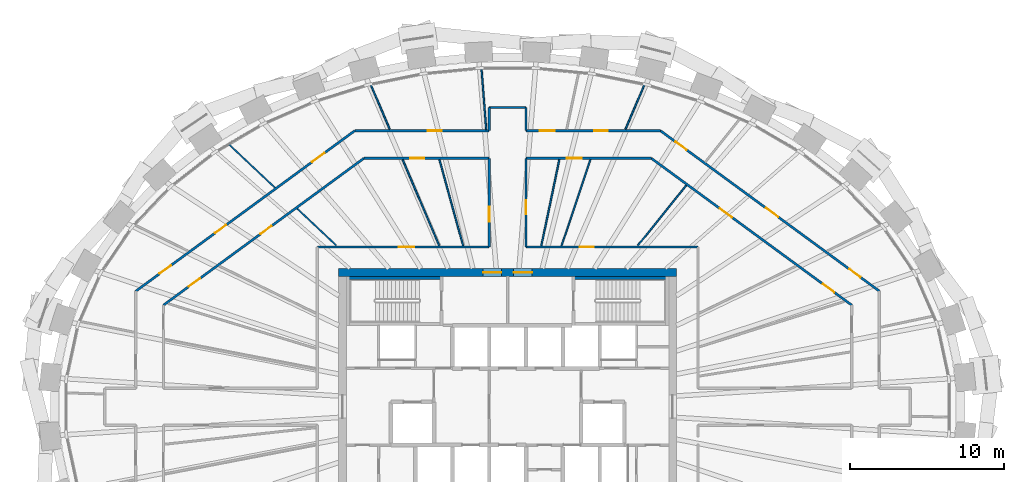
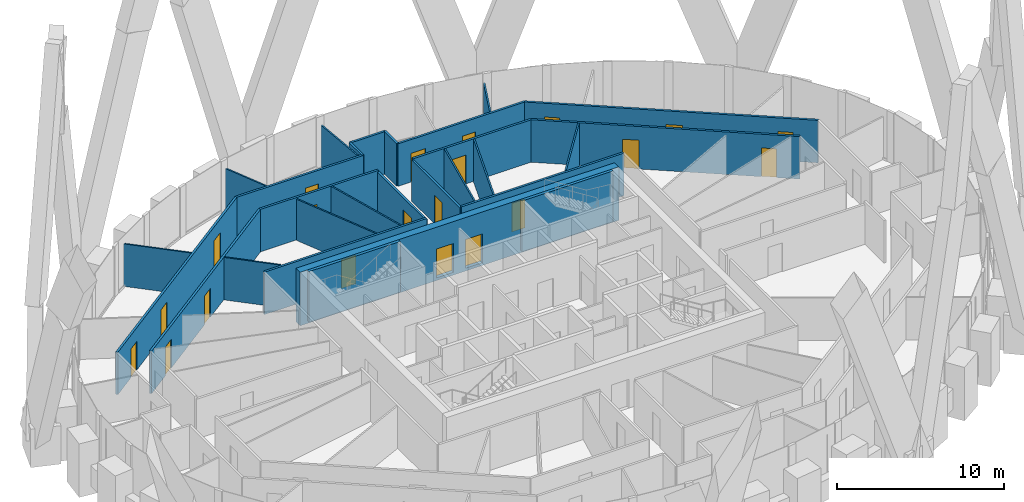
# One storey, part 11 of 13: 28 walls, 21 doors, 21 openings.
"""IFC4 building model written with IfcOpenShell, lengths in metres."""

from ifc_helpers import new_model, si_unit, direction, frame, frame_2d, origin, place, context, subcontext, project, spatial, rectangle, extrude, source, transform, mapped, material, layer, layer_set, type_object, element, fill, save


model = new_model("IFC4")

# Units and contexts
model_context = context("Model", 3, precision=1e-05, world=origin(), true_north=direction((0.0, 1.0)))
body_context = subcontext(model_context, "Body", "Model", "MODEL_VIEW")
ifc_project = project(units=[si_unit("LENGTHUNIT", "METRE"), si_unit("AREAUNIT", "SQUARE_METRE"), si_unit("VOLUMEUNIT", "CUBIC_METRE"), si_unit("PLANEANGLEUNIT", "RADIAN"), si_unit("MASSUNIT", "GRAM", prefix="KILO")], contexts=[model_context])

# Site, building, storey
site_placement = place(None, origin())
site = spatial("IfcSite", under=ifc_project, at=site_placement, CompositionType="ELEMENT")
building_placement = place(site_placement, origin())
building = spatial("IfcBuilding", under=site, at=building_placement, Name="Embergate Tower", CompositionType="ELEMENT")
storey_placement = place(building_placement, frame((0.0, 0.0, 316.89990234375)))
storey = spatial("IfcBuildingStorey", under=building, at=storey_placement, Name="L74", CompositionType="ELEMENT", Elevation=316.89990234375)

# Wall, openings, doors
ifc_material_1 = material(Name="Concrete C50", Category="concrete")
ifc_layer_1 = layer(ifc_material_1, 0.5)
ifc_layer_set_1 = layer_set([ifc_layer_1], Name="Concrete C50")
wall_type_1 = type_object("IfcWallType", Name="Core outer wall C50 500", PredefinedType="SHEAR", material=ifc_layer_set_1)
shared_shape_1 = source(origin(), body_context, "Body", "SweptSolid", [
    extrude(rectangle(XDim=22.0, YDim=0.5, at=frame_2d((11.0, 0.0))), origin(), (0.0, 0.0, 1.0), 3.900146484375),
])
wall_1_placement = place(storey_placement, frame((-11.0, 8.75, -0.199951171875), z_axis=(0.0, 0.0, 1.0), x_axis=(1.0, 0.0, 0.0)))
wall_1 = element("IfcWall", 1, at=wall_1_placement, inside=storey, type_object=wall_type_1, Name="CW-L74-N", PredefinedType="SHEAR", context=body_context, shape_type="MappedRepresentation", body=[
    mapped(shared_shape_1, transform((0.0, 0.0, 0.0))),
])
shared_shape_2 = source(origin(), body_context, "Body", "SweptSolid", [
    extrude(rectangle(XDim=1.199951171875, YDim=2.10009765625, at=frame_2d((0.60009765625, 1.050048828125))), frame((0.0, 0.260009765625, 0.0), z_axis=(0.0, -1.0, 0.0), x_axis=(1.0, 0.0, 0.0)), (0.0, 0.0, 1.0), 0.52001953125),
])
opening_1_placement = place(wall_1_placement, frame((9.39990234375, 0.0, 0.199951171875)))
opening_1 = element("IfcOpeningElement", 2, at=opening_1_placement, cuts=wall_1, Name="Opening IF-1", PredefinedType="OPENING", context=body_context, shape_type="MappedRepresentation", body=[
    mapped(shared_shape_2, transform((0.0, 0.0, 0.0))),
])
opening_2_placement = place(wall_1_placement, frame((11.39990234375, 0.0, 0.199951171875)))
opening_2 = element("IfcOpeningElement", 3, at=opening_2_placement, cuts=wall_1, Name="Opening IF-1", PredefinedType="OPENING", context=body_context, shape_type="MappedRepresentation", body=[
    mapped(shared_shape_2, transform((0.0, 0.0, 0.0))),
])
ifc_material_2 = material(Name="Escape fire door 1200")
door_type_1 = type_object("IfcDoorType", Name="Escape fire door 1200", OperationType="SINGLE_SWING_LEFT", PredefinedType="DOOR", material=ifc_material_2)
shared_shape_3 = source(origin(), body_context, "Body", "SweptSolid", [
    extrude(rectangle(XDim=1.199951171875, YDim=2.10009765625, at=frame_2d((0.60009765625, 1.050048828125))), frame((0.0, 0.02490234375, 0.0), z_axis=(0.0, -1.0, 0.0), x_axis=(1.0, 0.0, 0.0)), (0.0, 0.0, 1.0), 0.050048828125),
])
door_1_placement = place(opening_1_placement, origin())
door_1 = element("IfcDoor", 4, at=door_1_placement, inside=storey, type_object=door_type_1, Name="IF-1 door", OperationType="SINGLE_SWING_LEFT", OverallHeight=2.10009765625, OverallWidth=1.199951171875, PredefinedType="DOOR", context=body_context, shape_type="MappedRepresentation", body=[
    mapped(shared_shape_3, transform((0.0, 0.0, 0.0))),
])
fill(opening_1, door_1)
door_2_placement = place(opening_2_placement, origin())
door_2 = element("IfcDoor", 5, at=door_2_placement, inside=storey, type_object=door_type_1, Name="IF-1 door", OperationType="SINGLE_SWING_RIGHT", OverallHeight=2.10009765625, OverallWidth=1.199951171875, PredefinedType="DOOR", context=body_context, shape_type="MappedRepresentation", body=[
    mapped(shared_shape_3, transform((0.0, 0.0, 0.0))),
])
fill(opening_2, door_2)

# Wall, opening, door
ifc_material_3 = material(Name="Corridor wall dry-lined 150")
ifc_layer_2 = layer(ifc_material_3, 0.14990234375)
ifc_layer_set_2 = layer_set([ifc_layer_2], Name="Corridor wall dry-lined 150")
wall_type_2 = type_object("IfcWallType", Name="Corridor wall dry-lined 150", PredefinedType="PARTITIONING", material=ifc_layer_set_2)
shared_shape_4 = source(origin(), body_context, "Body", "SweptSolid", [
    extrude(rectangle(XDim=11.199951171875, YDim=0.14990234375, at=frame_2d((5.60009765625, 0.0))), origin(), (0.0, 0.0, 1.0), 3.10009765625),
])
wall_2_placement = place(storey_placement, frame((12.39990234375, 10.39990234375, 0.0), z_axis=(0.0, 0.0, 1.0), x_axis=(-1.0, 0.0, 0.0)))
wall_2 = element("IfcWall", 6, at=wall_2_placement, inside=storey, type_object=wall_type_2, Name="IP-2 wall", PredefinedType="PARTITIONING", context=body_context, shape_type="MappedRepresentation", body=[
    mapped(shared_shape_4, transform((0.0, 0.0, 0.0))),
])
shared_shape_5 = source(origin(), body_context, "Body", "SweptSolid", [
    extrude(rectangle(XDim=0.89990234375, YDim=2.10009765625, at=frame_2d((0.449951171875, 1.050048828125))), frame((0.0, 0.0849609375, 0.0), z_axis=(0.0, -1.0, 0.0), x_axis=(1.0, 0.0, 0.0)), (0.0, 0.0, 1.0), 0.169921875),
])
opening_3_placement = place(wall_2_placement, frame((6.794921875, 0.0, 0.0)))
opening_3 = element("IfcOpeningElement", 7, at=opening_3_placement, cuts=wall_2, Name="Opening IF-1c", PredefinedType="OPENING", context=body_context, shape_type="MappedRepresentation", body=[
    mapped(shared_shape_5, transform((0.0, 0.0, 0.0))),
])
ifc_material_4 = material(Name="Escape fire door 900")
door_type_2 = type_object("IfcDoorType", Name="Escape fire door 900", OperationType="SINGLE_SWING_LEFT", PredefinedType="DOOR", material=ifc_material_4)
shared_shape_6 = source(origin(), body_context, "Body", "SweptSolid", [
    extrude(rectangle(XDim=0.89990234375, YDim=2.10009765625, at=frame_2d((0.449951171875, 1.050048828125))), frame((0.0, 0.02490234375, 0.0), z_axis=(0.0, -1.0, 0.0), x_axis=(1.0, 0.0, 0.0)), (0.0, 0.0, 1.0), 0.050048828125),
])
door_3_placement = place(opening_3_placement, origin())
door_3 = element("IfcDoor", 8, at=door_3_placement, inside=storey, type_object=door_type_2, Name="IF-1 door", OperationType="SINGLE_SWING_LEFT", OverallHeight=2.10009765625, OverallWidth=0.89990234375, PredefinedType="DOOR", context=body_context, shape_type="MappedRepresentation", body=[
    mapped(shared_shape_6, transform((0.0, 0.0, 0.0))),
])
fill(opening_3, door_3)

wall_3_placement = place(storey_placement, frame((-12.39990234375, 10.39990234375, 0.0), z_axis=(0.0, 0.0, 1.0), x_axis=(1.0, 0.0, 0.0)))
wall_3 = element("IfcWall", 9, at=wall_3_placement, inside=storey, type_object=wall_type_2, Name="IP-2 wall", PredefinedType="PARTITIONING", context=body_context, shape_type="MappedRepresentation", body=[
    mapped(shared_shape_4, transform((0.0, 0.0, 0.0))),
])
shared_shape_7 = source(origin(), body_context, "Body", "SweptSolid", [
    extrude(rectangle(XDim=1.0, YDim=2.10009765625, at=frame_2d((0.5, 1.050048828125))), frame((0.0, 0.0849609375, 0.0), z_axis=(0.0, -1.0, 0.0), x_axis=(1.0, 0.0, 0.0)), (0.0, 0.0, 1.0), 0.169921875),
])
opening_4_placement = place(wall_3_placement, frame((5.323974609375, 0.0, 0.0)))
opening_4 = element("IfcOpeningElement", 10, at=opening_4_placement, cuts=wall_3, Name="Opening ID-2", PredefinedType="OPENING", context=body_context, shape_type="MappedRepresentation", body=[
    mapped(shared_shape_7, transform((0.0, 0.0, 0.0))),
])
ifc_material_5 = material(Name="Interior door 1000")
door_type_3 = type_object("IfcDoorType", Name="Interior door 1000", OperationType="SINGLE_SWING_LEFT", PredefinedType="DOOR", material=ifc_material_5)
shared_shape_8 = source(origin(), body_context, "Body", "SweptSolid", [
    extrude(rectangle(XDim=1.0, YDim=2.10009765625, at=frame_2d((0.5, 1.050048828125))), frame((0.0, 0.02490234375, 0.0), z_axis=(0.0, -1.0, 0.0), x_axis=(1.0, 0.0, 0.0)), (0.0, 0.0, 1.0), 0.050048828125),
])
door_4_placement = place(opening_4_placement, origin())
door_4 = element("IfcDoor", 11, at=door_4_placement, inside=storey, type_object=door_type_3, Name="ID-2 door", OperationType="SINGLE_SWING_RIGHT", OverallHeight=2.10009765625, OverallWidth=1.0, PredefinedType="DOOR", context=body_context, shape_type="MappedRepresentation", body=[
    mapped(shared_shape_8, transform((0.0, 0.0, 0.0))),
])
fill(opening_4, door_4)

# Walls
shared_shape_9 = source(origin(), body_context, "Body", "SweptSolid", [
    extrude(rectangle(XDim=2.39990234375, YDim=0.14990234375, at=frame_2d((1.199951171875, 0.0))), origin(), (0.0, 0.0, 1.0), 3.10009765625),
])
wall_4_placement = place(storey_placement, frame((-1.199951171875, 19.490966796875, 0.0), z_axis=(0.0, 0.0, 1.0), x_axis=(1.0, 0.0, 0.0)))
element("IfcWall", 12, at=wall_4_placement, inside=storey, type_object=wall_type_2, Name="IP-2 wall", PredefinedType="PARTITIONING", context=body_context, shape_type="MappedRepresentation", body=[
    mapped(shared_shape_9, transform((0.0, 0.0, 0.0))),
])
ifc_layer_3 = layer(ifc_material_1, 0.199951171875)
ifc_layer_set_3 = layer_set([ifc_layer_3], Name="Concrete C50")
wall_type_3 = type_object("IfcWallType", Name="Stair enclosure wall reinforced concrete 250", PredefinedType="SHEAR", material=ifc_layer_set_3)
shared_shape_10 = source(origin(), body_context, "Body", "SweptSolid", [
    extrude(rectangle(XDim=6.298095703125, YDim=0.199951171875, at=frame_2d((3.14892578125, 0.0))), origin(), (0.0, 0.0, 1.0), 3.7001953125),
])
for number, where, z_axis, x_axis, name in (
    (13, (-4.201904296875, 8.39990234375, 0.0), (0.0, 0.0, 1.0), (-1.0, 0.0, 0.0), "SE-1 wall"),
    (14, (10.5, 8.39990234375, 0.0), (0.0, 0.0, 1.0), (-1.0, 0.0, 0.0), "SE-1 wall"),
):
    element("IfcWall", number, at=place(storey_placement, frame(where, z_axis=z_axis, x_axis=x_axis)), inside=storey, type_object=wall_type_3, Name=name, PredefinedType="SHEAR", context=body_context, shape_type="MappedRepresentation", body=[
        mapped(shared_shape_10, transform((0.0, 0.0, 0.0))),
    ])

# Wall, openings, doors
shared_shape_11 = source(origin(), body_context, "Body", "SweptSolid", [
    extrude(rectangle(XDim=17.682373046875, YDim=0.14990234375, at=frame_2d((8.84130859375, 0.0))), origin(), (0.0, 0.0, 1.0), 3.10009765625),
])
wall_5_placement = place(storey_placement, frame((9.952880859375, 17.98291015625, 0.0), z_axis=(0.0, 0.0, 1.0), x_axis=(0.806686271558, -0.590979914447, 0.0)))
wall_5 = element("IfcWall", 15, at=wall_5_placement, inside=storey, type_object=wall_type_2, Name="IP-2 wall", PredefinedType="PARTITIONING", context=body_context, shape_type="MappedRepresentation", body=[
    mapped(shared_shape_11, transform((0.0, 0.0, 0.0))),
])
opening_5_placement = place(wall_5_placement, frame((15.259521484375, 0.0, 0.0)))
opening_5 = element("IfcOpeningElement", 16, at=opening_5_placement, cuts=wall_5, Name="Opening IF-1c", PredefinedType="OPENING", context=body_context, shape_type="MappedRepresentation", body=[
    mapped(shared_shape_5, transform((0.0, 0.0, 0.0))),
])
opening_6_placement = place(wall_5_placement, frame((8.519287109375, 0.0, 0.0)))
opening_6 = element("IfcOpeningElement", 17, at=opening_6_placement, cuts=wall_5, Name="Opening ID-2", PredefinedType="OPENING", context=body_context, shape_type="MappedRepresentation", body=[
    mapped(shared_shape_7, transform((0.0, 0.0, 0.0))),
])
opening_7_placement = place(wall_5_placement, frame((1.2255859375, 0.0, 0.0)))
opening_7 = element("IfcOpeningElement", 18, at=opening_7_placement, cuts=wall_5, Name="Opening IF-1c", PredefinedType="OPENING", context=body_context, shape_type="MappedRepresentation", body=[
    mapped(shared_shape_5, transform((0.0, 0.0, 0.0))),
])
door_5_placement = place(opening_5_placement, origin())
door_5 = element("IfcDoor", 19, at=door_5_placement, inside=storey, type_object=door_type_2, Name="IF-1 door", OperationType="SINGLE_SWING_LEFT", OverallHeight=2.10009765625, OverallWidth=0.89990234375, PredefinedType="DOOR", context=body_context, shape_type="MappedRepresentation", body=[
    mapped(shared_shape_6, transform((0.0, 0.0, 0.0))),
])
fill(opening_5, door_5)
door_6_placement = place(opening_7_placement, origin())
door_6 = element("IfcDoor", 20, at=door_6_placement, inside=storey, type_object=door_type_2, Name="IF-1 door", OperationType="SINGLE_SWING_RIGHT", OverallHeight=2.10009765625, OverallWidth=0.89990234375, PredefinedType="DOOR", context=body_context, shape_type="MappedRepresentation", body=[
    mapped(shared_shape_6, transform((0.0, 0.0, 0.0))),
])
fill(opening_7, door_6)
door_7_placement = place(opening_6_placement, origin())
door_7 = element("IfcDoor", 21, at=door_7_placement, inside=storey, type_object=door_type_3, Name="ID-2 door", OperationType="SINGLE_SWING_RIGHT", OverallHeight=2.10009765625, OverallWidth=1.0, PredefinedType="DOOR", context=body_context, shape_type="MappedRepresentation", body=[
    mapped(shared_shape_8, transform((0.0, 0.0, 0.0))),
])
fill(opening_6, door_7)

wall_6_placement = place(storey_placement, frame((-9.952880859375, 17.98291015625, 0.0), z_axis=(0.0, 0.0, 1.0), x_axis=(-0.806686271558, -0.590979914447, 0.0)))
wall_6 = element("IfcWall", 22, at=wall_6_placement, inside=storey, type_object=wall_type_2, Name="IP-2 wall", PredefinedType="PARTITIONING", context=body_context, shape_type="MappedRepresentation", body=[
    mapped(shared_shape_11, transform((0.0, 0.0, 0.0))),
])
opening_8_placement = place(wall_6_placement, frame((2.451904296875, 0.0, 0.0)))
opening_8 = element("IfcOpeningElement", 23, at=opening_8_placement, cuts=wall_6, Name="Opening ID-2", PredefinedType="OPENING", context=body_context, shape_type="MappedRepresentation", body=[
    mapped(shared_shape_7, transform((0.0, 0.0, 0.0))),
])
opening_9_placement = place(wall_6_placement, frame((10.39013671875, 0.0, 0.0)))
opening_9 = element("IfcOpeningElement", 24, at=opening_9_placement, cuts=wall_6, Name="Opening IF-1c", PredefinedType="OPENING", context=body_context, shape_type="MappedRepresentation", body=[
    mapped(shared_shape_5, transform((0.0, 0.0, 0.0))),
])
opening_10_placement = place(wall_6_placement, frame((14.861083984375, 0.0, 0.0)))
opening_10 = element("IfcOpeningElement", 25, at=opening_10_placement, cuts=wall_6, Name="Opening IF-1c", PredefinedType="OPENING", context=body_context, shape_type="MappedRepresentation", body=[
    mapped(shared_shape_5, transform((0.0, 0.0, 0.0))),
])
door_8_placement = place(opening_9_placement, origin())
door_8 = element("IfcDoor", 26, at=door_8_placement, inside=storey, type_object=door_type_2, Name="IF-1 door", OperationType="SINGLE_SWING_LEFT", OverallHeight=2.10009765625, OverallWidth=0.89990234375, PredefinedType="DOOR", context=body_context, shape_type="MappedRepresentation", body=[
    mapped(shared_shape_6, transform((0.0, 0.0, 0.0))),
])
fill(opening_9, door_8)
door_9_placement = place(opening_10_placement, origin())
door_9 = element("IfcDoor", 27, at=door_9_placement, inside=storey, type_object=door_type_2, Name="IF-1 door", OperationType="SINGLE_SWING_LEFT", OverallHeight=2.10009765625, OverallWidth=0.89990234375, PredefinedType="DOOR", context=body_context, shape_type="MappedRepresentation", body=[
    mapped(shared_shape_6, transform((0.0, 0.0, 0.0))),
])
fill(opening_10, door_9)
door_10_placement = place(opening_8_placement, origin())
door_10 = element("IfcDoor", 28, at=door_10_placement, inside=storey, type_object=door_type_3, Name="ID-2 door", OperationType="SINGLE_SWING_LEFT", OverallHeight=2.10009765625, OverallWidth=1.0, PredefinedType="DOOR", context=body_context, shape_type="MappedRepresentation", body=[
    mapped(shared_shape_8, transform((0.0, 0.0, 0.0))),
])
fill(opening_8, door_10)

shared_shape_12 = source(origin(), body_context, "Body", "SweptSolid", [
    extrude(rectangle(XDim=16.18115234375, YDim=0.14990234375, at=frame_2d((8.090576171875, 0.0))), origin(), (0.0, 0.0, 1.0), 3.10009765625),
])
wall_7_placement = place(storey_placement, frame((9.364013671875, 16.18310546875, 0.0), z_axis=(0.0, 0.0, 1.0), x_axis=(0.80667592694, -0.590994034569, 0.0)))
wall_7 = element("IfcWall", 29, at=wall_7_placement, inside=storey, type_object=wall_type_2, Name="IP-2 wall", PredefinedType="PARTITIONING", context=body_context, shape_type="MappedRepresentation", body=[
    mapped(shared_shape_12, transform((0.0, 0.0, 0.0))),
])
opening_11_placement = place(wall_7_placement, frame((13.872314453125, 0.0, 0.0)))
opening_11 = element("IfcOpeningElement", 30, at=opening_11_placement, cuts=wall_7, Name="Opening IF-1c", PredefinedType="OPENING", context=body_context, shape_type="MappedRepresentation", body=[
    mapped(shared_shape_5, transform((0.0, 0.0, 0.0))),
])
opening_12_placement = place(wall_7_placement, frame((5.524169921875, 0.0, 0.0)))
opening_12 = element("IfcOpeningElement", 31, at=opening_12_placement, cuts=wall_7, Name="Opening ID-2", PredefinedType="OPENING", context=body_context, shape_type="MappedRepresentation", body=[
    mapped(shared_shape_7, transform((0.0, 0.0, 0.0))),
])
door_11_placement = place(opening_11_placement, origin())
door_11 = element("IfcDoor", 32, at=door_11_placement, inside=storey, type_object=door_type_2, Name="IF-1 door", OperationType="SINGLE_SWING_LEFT", OverallHeight=2.10009765625, OverallWidth=0.89990234375, PredefinedType="DOOR", context=body_context, shape_type="MappedRepresentation", body=[
    mapped(shared_shape_6, transform((0.0, 0.0, 0.0))),
])
fill(opening_11, door_11)
door_12_placement = place(opening_12_placement, origin())
door_12 = element("IfcDoor", 33, at=door_12_placement, inside=storey, type_object=door_type_3, Name="ID-2 door", OperationType="SINGLE_SWING_RIGHT", OverallHeight=2.10009765625, OverallWidth=1.0, PredefinedType="DOOR", context=body_context, shape_type="MappedRepresentation", body=[
    mapped(shared_shape_8, transform((0.0, 0.0, 0.0))),
])
fill(opening_12, door_12)

wall_8_placement = place(storey_placement, frame((-9.364013671875, 16.18310546875, 0.0), z_axis=(0.0, 0.0, 1.0), x_axis=(-0.80667592694, -0.590994034569, 0.0)))
wall_8 = element("IfcWall", 34, at=wall_8_placement, inside=storey, type_object=wall_type_2, Name="IP-2 wall", PredefinedType="PARTITIONING", context=body_context, shape_type="MappedRepresentation", body=[
    mapped(shared_shape_12, transform((0.0, 0.0, 0.0))),
])
opening_13_placement = place(wall_8_placement, frame((7.45068359375, 0.0, 0.0)))
opening_13 = element("IfcOpeningElement", 35, at=opening_13_placement, cuts=wall_8, Name="Opening IF-1c", PredefinedType="OPENING", context=body_context, shape_type="MappedRepresentation", body=[
    mapped(shared_shape_5, transform((0.0, 0.0, 0.0))),
])
opening_14_placement = place(wall_8_placement, frame((13.2412109375, 0.0, 0.0)))
opening_14 = element("IfcOpeningElement", 36, at=opening_14_placement, cuts=wall_8, Name="Opening IF-1c", PredefinedType="OPENING", context=body_context, shape_type="MappedRepresentation", body=[
    mapped(shared_shape_5, transform((0.0, 0.0, 0.0))),
])
door_13_placement = place(opening_13_placement, origin())
door_13 = element("IfcDoor", 37, at=door_13_placement, inside=storey, type_object=door_type_2, Name="IF-1 door", OperationType="SINGLE_SWING_RIGHT", OverallHeight=2.10009765625, OverallWidth=0.89990234375, PredefinedType="DOOR", context=body_context, shape_type="MappedRepresentation", body=[
    mapped(shared_shape_6, transform((0.0, 0.0, 0.0))),
])
fill(opening_13, door_13)
door_14_placement = place(opening_14_placement, origin())
door_14 = element("IfcDoor", 38, at=door_14_placement, inside=storey, type_object=door_type_2, Name="IF-1 door", OperationType="SINGLE_SWING_RIGHT", OverallHeight=2.10009765625, OverallWidth=0.89990234375, PredefinedType="DOOR", context=body_context, shape_type="MappedRepresentation", body=[
    mapped(shared_shape_6, transform((0.0, 0.0, 0.0))),
])
fill(opening_14, door_14)

shared_shape_13 = source(origin(), body_context, "Body", "SweptSolid", [
    extrude(rectangle(XDim=8.7529296875, YDim=0.14990234375, at=frame_2d((4.37646484375, 0.0))), origin(), (0.0, 0.0, 1.0), 3.10009765625),
])
wall_9_placement = place(storey_placement, frame((1.199951171875, 17.98291015625, 0.0), z_axis=(0.0, 0.0, 1.0), x_axis=(1.0, 0.0, 0.0)))
wall_9 = element("IfcWall", 39, at=wall_9_placement, inside=storey, type_object=wall_type_2, Name="IP-2 wall", PredefinedType="PARTITIONING", context=body_context, shape_type="MappedRepresentation", body=[
    mapped(shared_shape_13, transform((0.0, 0.0, 0.0))),
])
opening_15_placement = place(wall_9_placement, frame((4.430908203125, 0.0, 0.0)))
opening_15 = element("IfcOpeningElement", 40, at=opening_15_placement, cuts=wall_9, Name="Opening IF-1c", PredefinedType="OPENING", context=body_context, shape_type="MappedRepresentation", body=[
    mapped(shared_shape_5, transform((0.0, 0.0, 0.0))),
])
opening_16_placement = place(wall_9_placement, frame((0.885986328125, 0.0, 0.0)))
opening_16 = element("IfcOpeningElement", 41, at=opening_16_placement, cuts=wall_9, Name="Opening ID-2", PredefinedType="OPENING", context=body_context, shape_type="MappedRepresentation", body=[
    mapped(shared_shape_7, transform((0.0, 0.0, 0.0))),
])
door_15_placement = place(opening_15_placement, origin())
door_15 = element("IfcDoor", 42, at=door_15_placement, inside=storey, type_object=door_type_2, Name="IF-1 door", OperationType="SINGLE_SWING_LEFT", OverallHeight=2.10009765625, OverallWidth=0.89990234375, PredefinedType="DOOR", context=body_context, shape_type="MappedRepresentation", body=[
    mapped(shared_shape_6, transform((0.0, 0.0, 0.0))),
])
fill(opening_15, door_15)
door_16_placement = place(opening_16_placement, origin())
door_16 = element("IfcDoor", 43, at=door_16_placement, inside=storey, type_object=door_type_3, Name="ID-2 door", OperationType="SINGLE_SWING_RIGHT", OverallHeight=2.10009765625, OverallWidth=1.0, PredefinedType="DOOR", context=body_context, shape_type="MappedRepresentation", body=[
    mapped(shared_shape_8, transform((0.0, 0.0, 0.0))),
])
fill(opening_16, door_16)

# Wall, opening, door
wall_10_placement = place(storey_placement, frame((-9.952880859375, 17.98291015625, 0.0), z_axis=(0.0, 0.0, 1.0), x_axis=(1.0, 0.0, 0.0)))
wall_10 = element("IfcWall", 44, at=wall_10_placement, inside=storey, type_object=wall_type_2, Name="IP-2 wall", PredefinedType="PARTITIONING", context=body_context, shape_type="MappedRepresentation", body=[
    mapped(shared_shape_13, transform((0.0, 0.0, 0.0))),
])
opening_17_placement = place(wall_10_placement, frame((4.751708984375, 0.0, 0.0)))
opening_17 = element("IfcOpeningElement", 45, at=opening_17_placement, cuts=wall_10, Name="Opening IF-1c", PredefinedType="OPENING", context=body_context, shape_type="MappedRepresentation", body=[
    mapped(shared_shape_5, transform((0.0, 0.0, 0.0))),
])
door_17_placement = place(opening_17_placement, origin())
door_17 = element("IfcDoor", 46, at=door_17_placement, inside=storey, type_object=door_type_2, Name="IF-1 door", OperationType="SINGLE_SWING_RIGHT", OverallHeight=2.10009765625, OverallWidth=0.89990234375, PredefinedType="DOOR", context=body_context, shape_type="MappedRepresentation", body=[
    mapped(shared_shape_6, transform((0.0, 0.0, 0.0))),
])
fill(opening_17, door_17)

# Walls
shared_shape_14 = source(origin(), body_context, "Body", "SweptSolid", [
    extrude(rectangle(XDim=1.508056640625, YDim=0.14990234375, at=frame_2d((0.75390625, 0.0))), origin(), (0.0, 0.0, 1.0), 3.10009765625),
])
for number, where, z_axis, x_axis, name in (
    (47, (-1.199951171875, 17.98291015625, 0.0), (0.0, 0.0, 1.0), (0.0, 1.0, 0.0), "IP-2 wall"),
    (48, (1.199951171875, 19.490966796875, 0.0), (0.0, 0.0, 1.0), (0.0, -1.0, 0.0), "IP-2 wall"),
):
    element("IfcWall", number, at=place(storey_placement, frame(where, z_axis=z_axis, x_axis=x_axis)), inside=storey, type_object=wall_type_2, Name=name, PredefinedType="PARTITIONING", context=body_context, shape_type="MappedRepresentation", body=[
        mapped(shared_shape_14, transform((0.0, 0.0, 0.0))),
    ])

# Wall, opening, door
shared_shape_15 = source(origin(), body_context, "Body", "SweptSolid", [
    extrude(rectangle(XDim=8.1640625, YDim=0.14990234375, at=frame_2d((4.08203125, 0.0))), origin(), (0.0, 0.0, 1.0), 3.10009765625),
])
wall_11_placement = place(storey_placement, frame((1.199951171875, 16.18310546875, 0.0), z_axis=(0.0, 0.0, 1.0), x_axis=(1.0, 0.0, 0.0)))
wall_11 = element("IfcWall", 49, at=wall_11_placement, inside=storey, type_object=wall_type_2, Name="IP-2 wall", PredefinedType="PARTITIONING", context=body_context, shape_type="MappedRepresentation", body=[
    mapped(shared_shape_15, transform((0.0, 0.0, 0.0))),
])
opening_18_placement = place(wall_11_placement, frame((2.64208984375, 0.0, 0.0)))
opening_18 = element("IfcOpeningElement", 50, at=opening_18_placement, cuts=wall_11, Name="Opening ID-2", PredefinedType="OPENING", context=body_context, shape_type="MappedRepresentation", body=[
    mapped(shared_shape_7, transform((0.0, 0.0, 0.0))),
])
door_18_placement = place(opening_18_placement, origin())
door_18 = element("IfcDoor", 51, at=door_18_placement, inside=storey, type_object=door_type_3, Name="ID-2 door", OperationType="SINGLE_SWING_LEFT", OverallHeight=2.10009765625, OverallWidth=1.0, PredefinedType="DOOR", context=body_context, shape_type="MappedRepresentation", body=[
    mapped(shared_shape_8, transform((0.0, 0.0, 0.0))),
])
fill(opening_18, door_18)

wall_12_placement = place(storey_placement, frame((-1.199951171875, 16.18310546875, 0.0), z_axis=(0.0, 0.0, 1.0), x_axis=(-1.0, 0.0, 0.0)))
wall_12 = element("IfcWall", 52, at=wall_12_placement, inside=storey, type_object=wall_type_2, Name="IP-2 wall", PredefinedType="PARTITIONING", context=body_context, shape_type="MappedRepresentation", body=[
    mapped(shared_shape_15, transform((0.0, 0.0, 0.0))),
])
opening_19_placement = place(wall_12_placement, frame((4.22998046875, 0.0, 0.0)))
opening_19 = element("IfcOpeningElement", 53, at=opening_19_placement, cuts=wall_12, Name="Opening IF-1c", PredefinedType="OPENING", context=body_context, shape_type="MappedRepresentation", body=[
    mapped(shared_shape_5, transform((0.0, 0.0, 0.0))),
])
door_19_placement = place(opening_19_placement, origin())
door_19 = element("IfcDoor", 54, at=door_19_placement, inside=storey, type_object=door_type_2, Name="IF-1 door", OperationType="SINGLE_SWING_RIGHT", OverallHeight=2.10009765625, OverallWidth=0.89990234375, PredefinedType="DOOR", context=body_context, shape_type="MappedRepresentation", body=[
    mapped(shared_shape_6, transform((0.0, 0.0, 0.0))),
])
fill(opening_19, door_19)

shared_shape_16 = source(origin(), body_context, "Body", "SweptSolid", [
    extrude(rectangle(XDim=5.783203125, YDim=0.14990234375, at=frame_2d((2.8916015625, 0.0))), origin(), (0.0, 0.0, 1.0), 3.0),
])
wall_13_placement = place(storey_placement, frame((-1.199951171875, 10.39990234375, 0.0), z_axis=(0.0, 0.0, 1.0), x_axis=(0.0, 1.0, 0.0)))
wall_13 = element("IfcWall", 55, at=wall_13_placement, inside=storey, type_object=wall_type_2, Name="IP-2 wall", PredefinedType="PARTITIONING", context=body_context, shape_type="MappedRepresentation", body=[
    mapped(shared_shape_16, transform((0.0, 0.0, 0.0))),
])
opening_20_placement = place(wall_13_placement, frame((1.638916015625, 0.0, 0.0)))
opening_20 = element("IfcOpeningElement", 56, at=opening_20_placement, cuts=wall_13, Name="Opening ID-2", PredefinedType="OPENING", context=body_context, shape_type="MappedRepresentation", body=[
    mapped(shared_shape_7, transform((0.0, 0.0, 0.0))),
])
door_20_placement = place(opening_20_placement, origin())
door_20 = element("IfcDoor", 57, at=door_20_placement, inside=storey, type_object=door_type_3, Name="ID-2 door", OperationType="SINGLE_SWING_RIGHT", OverallHeight=2.10009765625, OverallWidth=1.0, PredefinedType="DOOR", context=body_context, shape_type="MappedRepresentation", body=[
    mapped(shared_shape_8, transform((0.0, 0.0, 0.0))),
])
fill(opening_20, door_20)

wall_14_placement = place(storey_placement, frame((1.199951171875, 16.18310546875, 0.0), z_axis=(0.0, 0.0, 1.0), x_axis=(0.0, -1.0, 0.0)))
wall_14 = element("IfcWall", 58, at=wall_14_placement, inside=storey, type_object=wall_type_2, Name="IP-2 wall", PredefinedType="PARTITIONING", context=body_context, shape_type="MappedRepresentation", body=[
    mapped(shared_shape_16, transform((0.0, 0.0, 0.0))),
])
opening_21_placement = place(wall_14_placement, frame((2.741455078125, 0.0, 0.0)))
opening_21 = element("IfcOpeningElement", 59, at=opening_21_placement, cuts=wall_14, Name="Opening IF-1c", PredefinedType="OPENING", context=body_context, shape_type="MappedRepresentation", body=[
    mapped(shared_shape_5, transform((0.0, 0.0, 0.0))),
])
door_21_placement = place(opening_21_placement, origin())
door_21 = element("IfcDoor", 60, at=door_21_placement, inside=storey, type_object=door_type_2, Name="IF-1 door", OperationType="SINGLE_SWING_LEFT", OverallHeight=2.10009765625, OverallWidth=0.89990234375, PredefinedType="DOOR", context=body_context, shape_type="MappedRepresentation", body=[
    mapped(shared_shape_6, transform((0.0, 0.0, 0.0))),
])
fill(opening_21, door_21)

# Walls
ifc_material_6 = material(Name="Partition dry-lined 100")
ifc_layer_4 = layer(ifc_material_6, 0.10009765625)
ifc_layer_set_4 = layer_set([ifc_layer_4], Name="Partition dry-lined 100")
wall_type_4 = type_object("IfcWallType", Name="Partition dry-lined 100", PredefinedType="PARTITIONING", material=ifc_layer_set_4)
shared_shape_17 = source(origin(), body_context, "Body", "SweptSolid", [
    extrude(rectangle(XDim=3.177978515625, YDim=0.10009765625, at=frame_2d((1.5888671875, 0.0))), origin(), (0.0, 0.0, 1.0), 3.0),
])
for number, where, z_axis, x_axis, name in (
    (61, (7.679931640625, 18.077880859375, 0.0), (0.0, 0.0, 1.0), (0.390885220026, 0.920439430253, 0.0), "IP-1 wall"),
    (62, (-8.922119140625, 21.0029296875, 0.0), (0.0, 0.0, 1.0), (0.390885220026, -0.920439430253, 0.0), "IP-1 wall"),
):
    element("IfcWall", number, at=place(storey_placement, frame(where, z_axis=z_axis, x_axis=x_axis)), inside=storey, type_object=wall_type_4, Name=name, PredefinedType="PARTITIONING", context=body_context, shape_type="MappedRepresentation", body=[
        mapped(shared_shape_17, transform((0.0, 0.0, 0.0))),
    ])
shared_shape_18 = source(origin(), body_context, "Body", "SweptSolid", [
    extrude(rectangle(XDim=5.03173828125, YDim=0.10009765625, at=frame_2d((2.515869140625, 0.0))), origin(), (0.0, 0.0, 1.0), 3.10009765625),
])
wall_15_placement = place(storey_placement, frame((8.48193359375, 10.506103515625, 0.0), z_axis=(0.0, 0.0, 1.0), x_axis=(0.628238845523, 0.77802053506, 0.0)))
element("IfcWall", 63, at=wall_15_placement, inside=storey, type_object=wall_type_4, Name="IP-1 wall", PredefinedType="PARTITIONING", context=body_context, shape_type="MappedRepresentation", body=[
    mapped(shared_shape_18, transform((0.0, 0.0, 0.0))),
])
shared_shape_19 = source(origin(), body_context, "Body", "SweptSolid", [
    extrude(rectangle(XDim=5.908447265625, YDim=0.10009765625, at=frame_2d((2.9541015625, 0.0))), origin(), (0.0, 0.0, 1.0), 3.10009765625),
])
wall_16_placement = place(storey_placement, frame((3.51611328125, 10.490966796875, 0.0), z_axis=(0.0, 0.0, 1.0), x_axis=(0.317838817041, 0.948144760246, 0.0)))
element("IfcWall", 64, at=wall_16_placement, inside=storey, type_object=wall_type_4, Name="IP-1 wall", PredefinedType="PARTITIONING", context=body_context, shape_type="MappedRepresentation", body=[
    mapped(shared_shape_19, transform((0.0, 0.0, 0.0))),
])
shared_shape_20 = source(origin(), body_context, "Body", "SweptSolid", [
    extrude(rectangle(XDim=4.00390625, YDim=0.10009765625, at=frame_2d((2.001953125, 0.0))), origin(), (0.0, 0.0, 1.0), 3.0),
])
wall_17_placement = place(storey_placement, frame((-1.39404296875, 18.05810546875, 0.0), z_axis=(0.0, 0.0, 1.0), x_axis=(-0.076892342061, 0.997039401294, 0.0)))
element("IfcWall", 65, at=wall_17_placement, inside=storey, type_object=wall_type_4, Name="IP-1 wall", PredefinedType="PARTITIONING", context=body_context, shape_type="MappedRepresentation", body=[
    mapped(shared_shape_20, transform((0.0, 0.0, 0.0))),
])
shared_shape_21 = source(origin(), body_context, "Body", "SweptSolid", [
    extrude(rectangle(XDim=5.81640625, YDim=0.10009765625, at=frame_2d((2.908203125, 0.0))), origin(), (0.0, 0.0, 1.0), 3.10009765625),
])
wall_18_placement = place(storey_placement, frame((-2.89501953125, 10.488037109375, 0.0), z_axis=(0.0, 0.0, 1.0), x_axis=(-0.265950518694, 0.963986681239, 0.0)))
element("IfcWall", 66, at=wall_18_placement, inside=storey, type_object=wall_type_4, Name="IP-1 wall", PredefinedType="PARTITIONING", context=body_context, shape_type="MappedRepresentation", body=[
    mapped(shared_shape_21, transform((0.0, 0.0, 0.0))),
])
shared_shape_22 = source(origin(), body_context, "Body", "SweptSolid", [
    extrude(rectangle(XDim=6.078125, YDim=0.10009765625, at=frame_2d((3.0390625, 0.0))), origin(), (0.0, 0.0, 1.0), 3.0),
])
wall_19_placement = place(storey_placement, frame((-6.8349609375, 16.089111328125, 0.0), z_axis=(0.0, 0.0, 1.0), x_axis=(0.391071744055, -0.920360196337, 0.0)))
element("IfcWall", 67, at=wall_19_placement, inside=storey, type_object=wall_type_4, Name="IP-1 wall", PredefinedType="PARTITIONING", context=body_context, shape_type="MappedRepresentation", body=[
    mapped(shared_shape_22, transform((0.0, 0.0, 0.0))),
])
shared_shape_23 = source(origin(), body_context, "Body", "SweptSolid", [
    extrude(rectangle(XDim=5.734375, YDim=0.10009765625, at=frame_2d((2.8671875, 0.0))), origin(), (0.0, 0.0, 1.0), 3.10009765625),
])
wall_20_placement = place(storey_placement, frame((2.196044921875, 10.485107421875, 0.0), z_axis=(0.0, 0.0, 1.0), x_axis=(0.204909632567, 0.978780896055, 0.0)))
element("IfcWall", 68, at=wall_20_placement, inside=storey, type_object=wall_type_4, Name="IP-1 wall", PredefinedType="PARTITIONING", context=body_context, shape_type="MappedRepresentation", body=[
    mapped(shared_shape_23, transform((0.0, 0.0, 0.0))),
])
shared_shape_24 = source(origin(), body_context, "Body", "SweptSolid", [
    extrude(rectangle(XDim=4.171142578125, YDim=0.10009765625, at=frame_2d((2.08544921875, 0.0))), origin(), (0.0, 0.0, 1.0), 3.10009765625),
])
wall_21_placement = place(storey_placement, frame((-15.159912109375, 14.27197265625, 0.0), z_axis=(0.0, 0.0, 1.0), x_axis=(-0.728119226308, 0.685450503159, 0.0)))
element("IfcWall", 69, at=wall_21_placement, inside=storey, type_object=wall_type_4, Name="IP-1 wall", PredefinedType="PARTITIONING", context=body_context, shape_type="MappedRepresentation", body=[
    mapped(shared_shape_24, transform((0.0, 0.0, 0.0))),
])
shared_shape_25 = source(origin(), body_context, "Body", "SweptSolid", [
    extrude(rectangle(XDim=3.4853515625, YDim=0.10009765625, at=frame_2d((1.74267578125, 0.0))), origin(), (0.0, 0.0, 1.0), 3.10009765625),
])
wall_22_placement = place(storey_placement, frame((-11.1650390625, 10.510986328125, 0.0), z_axis=(0.0, 0.0, 1.0), x_axis=(-0.728148579295, 0.685419321635, 0.0)))
element("IfcWall", 70, at=wall_22_placement, inside=storey, type_object=wall_type_4, Name="IP-1 wall", PredefinedType="PARTITIONING", context=body_context, shape_type="MappedRepresentation", body=[
    mapped(shared_shape_25, transform((0.0, 0.0, 0.0))),
])

save(model, "model.ifc")
